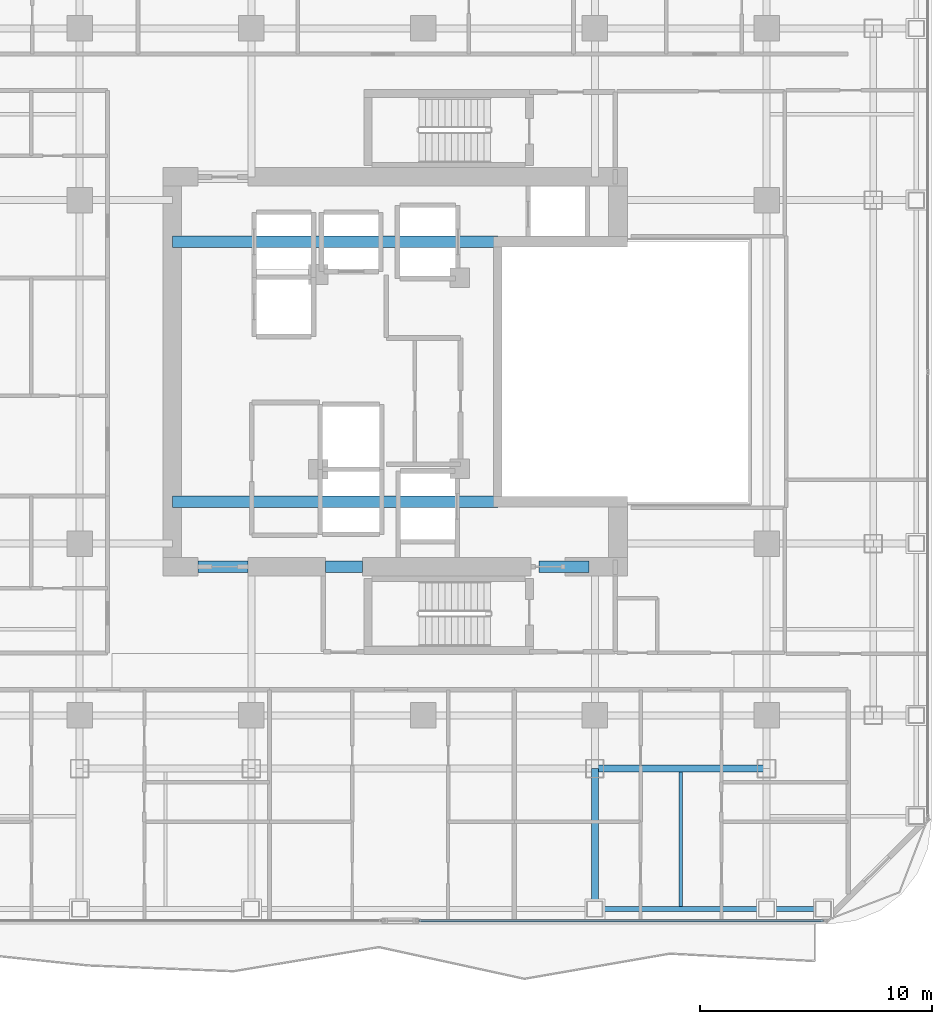
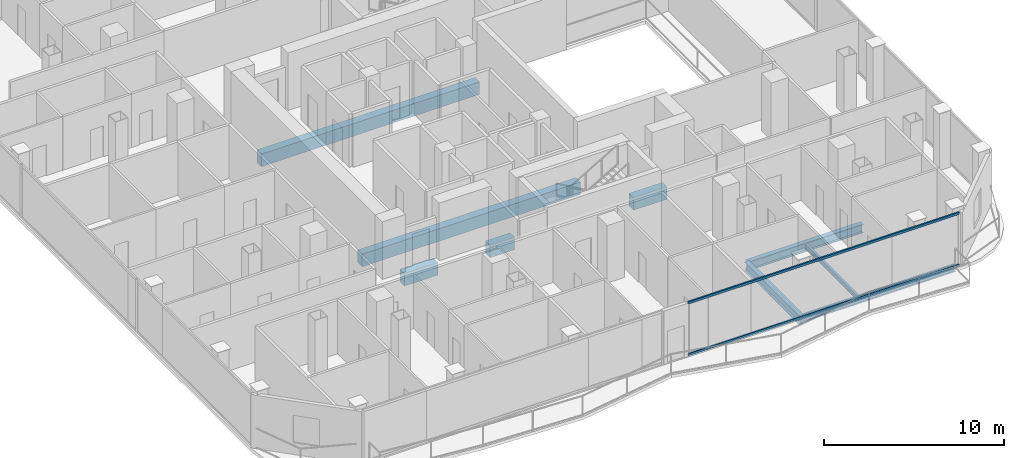
# One storey, part 6 of 26: 10 beams, 2 members, 1 element without a shape of its own.
"""IFC4 building model written with IfcOpenShell, lengths in metres."""

from ifc_helpers import new_model, si_unit, direction, frame, origin, origin_2d, place, context, subcontext, project, spatial, rectangle, hollow_rectangle, i_section, extrude, material, layer, layer_set, material_profile, profile_set, type_object, element, aggregate, save


model = new_model("IFC4")

# Units and contexts
model_context = context("Model", 3, precision=1e-05, world=origin(), true_north=direction((0.0, 1.0)))
body_context = subcontext(model_context, "Body", "Model", "MODEL_VIEW")
ifc_project = project(units=[si_unit("LENGTHUNIT", "METRE"), si_unit("AREAUNIT", "SQUARE_METRE"), si_unit("VOLUMEUNIT", "CUBIC_METRE"), si_unit("PLANEANGLEUNIT", "RADIAN"), si_unit("MASSUNIT", "GRAM", prefix="KILO")], contexts=[model_context])

# Site, building, storey
site_placement = place(None, origin())
site = spatial("IfcSite", under=ifc_project, at=site_placement, CompositionType="ELEMENT")
building_placement = place(site_placement, origin())
building = spatial("IfcBuilding", under=site, at=building_placement, Name="Khorvyn Point Tower", CompositionType="ELEMENT")
storey_placement = place(building_placement, frame((0.0, 0.0, 187.5)))
storey = spatial("IfcBuildingStorey", under=building, at=storey_placement, Name="L46", CompositionType="ELEMENT", Elevation=187.5)

# Curtain wall, members
ifc_material_1 = material(Name="Anodised aluminium 6063-T6 and laminated Low-E glass", Category="aluminium")
ifc_layer = layer(ifc_material_1, 0.18994140625)
ifc_layer_set = layer_set([ifc_layer], Name="Stick-Built Acoustic Curtain Wall CW-SYS-03")
curtain_wall_type = type_object("IfcCurtainWallType", Name="Stick-Built Acoustic Curtain Wall CW-SYS-03", PredefinedType="NOTDEFINED", material=ifc_layer_set)
curtain_wall_placement = place(storey_placement, origin())
curtain_wall = element("IfcCurtainWall", 1, at=curtain_wall_placement, inside=storey, type_object=curtain_wall_type, Name="Curtain Wall", PredefinedType="NOTDEFINED")
ifc_material_2 = material(Name="Anodised aluminium 6063-T6", Category="aluminium")
ifc_material_profile_1 = material_profile(ifc_material_2, hollow_rectangle(XDim=0.10009765625, YDim=0.159912109375, WallThickness=0.00439453125, at=origin_2d()))
ifc_profile_set_1 = profile_set([ifc_material_profile_1], Name="Anodised aluminium 6063-T6 ALU-TRN-100x160")
member_type = type_object("IfcMemberType", Name="Anodised Aluminium 6063-T6 Transom ALU-TRN-100x160", PredefinedType="USERDEFINED", material=ifc_profile_set_1)
member_1_placement = place(storey_placement, frame((17.25, -23.64990234375, 0.050048828125), z_axis=(-1.0, 0.0, 0.0), x_axis=(0.0, -1.0, 0.0)))
member_1 = element("IfcMember", 2, at=member_1_placement, type_object=member_type, Name="Transom", ObjectType="TRANSOM", PredefinedType="USERDEFINED", context=body_context, shape_type="SweptSolid", body=[
    extrude(hollow_rectangle(XDim=0.10009765625, YDim=0.159912109375, WallThickness=0.00439453125, at=origin_2d()), origin(), (0.0, 0.0, 1.0), 17.416015625),
])
member_2_placement = place(storey_placement, frame((17.25, -23.64990234375, 3.570068359375), z_axis=(-1.0, 0.0, 0.0), x_axis=(0.0, -1.0, 0.0)))
member_2 = element("IfcMember", 3, at=member_2_placement, type_object=member_type, Name="Transom", ObjectType="TRANSOM", PredefinedType="USERDEFINED", context=body_context, shape_type="SweptSolid", body=[
    extrude(hollow_rectangle(XDim=0.10009765625, YDim=0.159912109375, WallThickness=0.00439453125, at=origin_2d()), origin(), (0.0, 0.0, 1.0), 17.416015625),
])
aggregate(curtain_wall, [member_1, member_2])

# Beams
ifc_material_3 = material(Name="Concrete C45/55", Category="concrete")
ifc_material_profile_2 = material_profile(ifc_material_3, rectangle(XDim=0.5, YDim=0.85009765625, at=origin_2d()))
ifc_profile_set_2 = profile_set([ifc_material_profile_2], Name="Concrete C45/55 RC500x850")
beam_type_1 = type_object("IfcBeamType", Name="Concrete C45/55 Beam RC500x850", PredefinedType="BEAM", material=ifc_profile_set_2)
for number, where, z_axis, x_axis, name in (
    (4, (-10.800048828125, -5.60009765625, -0.64501953125), (1.0, 0.0, 0.0), (0.0, 1.0, 0.0), "L46 Core Internal Tie Girder S"),
    (5, (-10.800048828125, 5.60009765625, -0.64501953125), (1.0, 0.0, 0.0), (0.0, 1.0, 0.0), "L46 Core Internal Tie Girder N"),
):
    element("IfcBeam", number, at=place(storey_placement, frame(where, z_axis=z_axis, x_axis=x_axis)), inside=storey, type_object=beam_type_1, Name=name, PredefinedType="BEAM", context=body_context, shape_type="SweptSolid", body=[
        extrude(rectangle(XDim=0.5, YDim=0.85009765625, at=origin_2d()), origin(), (0.0, 0.0, 1.0), 14.02001953125),
    ])
beam_1_placement = place(storey_placement, frame((-9.699951171875, -8.39990234375, -0.64501953125), z_axis=(1.0, 0.0, 0.0), x_axis=(0.0, 1.0, 0.0)))
element("IfcBeam", 6, at=beam_1_placement, inside=storey, type_object=beam_type_1, Name="L46 Core Southwest Portal Coupling Beam", PredefinedType="BEAM", context=body_context, shape_type="SweptSolid", body=[
    extrude(rectangle(XDim=0.5, YDim=0.85009765625, at=origin_2d()), origin(), (0.0, 0.0, 1.0), 2.14990234375),
])
beam_2_placement = place(storey_placement, frame((-4.199951171875, -8.39990234375, -0.64501953125), z_axis=(1.0, 0.0, 0.0), x_axis=(0.0, 1.0, 0.0)))
element("IfcBeam", 7, at=beam_2_placement, inside=storey, type_object=beam_type_1, Name="L46 Core Shuttle Portal Coupling Beam", PredefinedType="BEAM", context=body_context, shape_type="SweptSolid", body=[
    extrude(rectangle(XDim=0.5, YDim=0.85009765625, at=origin_2d()), origin(), (0.0, 0.0, 1.0), 1.579833984375),
])
beam_3_placement = place(storey_placement, frame((5.0, -8.39990234375, -0.64501953125), z_axis=(1.0, 0.0, 0.0), x_axis=(0.0, 1.0, 0.0)))
element("IfcBeam", 8, at=beam_3_placement, inside=storey, type_object=beam_type_1, Name="L46 Core Southeast Portal Coupling Beam", PredefinedType="BEAM", context=body_context, shape_type="SweptSolid", body=[
    extrude(rectangle(XDim=0.5, YDim=0.85009765625, at=origin_2d()), origin(), (0.0, 0.0, 1.0), 2.14990234375),
])
ifc_material_4 = material(Name="Steel S355", Category="steel")
ifc_material_profile_3 = material_profile(ifc_material_4, i_section(OverallWidth=0.300048828125, OverallDepth=0.587890625, WebThickness=0.011962890625, FlangeThickness=0.02001953125, at=origin_2d()))
ifc_profile_set_3 = profile_set([ifc_material_profile_3], Name="Steel S355 H588x300x12x20")
beam_type_2 = type_object("IfcBeamType", Name="Steel S355 Beam H588x300x12x20", PredefinedType="BEAM", material=ifc_profile_set_3)
beam_4_placement = place(storey_placement, frame((7.39990234375, -17.10009765625, -0.513916015625), z_axis=(1.0, 0.0, 0.0), x_axis=(0.0, 1.0, 0.0)))
element("IfcBeam", 9, at=beam_4_placement, inside=storey, type_object=beam_type_2, Name="Beam", PredefinedType="BEAM", context=body_context, shape_type="SweptSolid", body=[
    extrude(i_section(OverallWidth=0.300048828125, OverallDepth=0.587890625, WebThickness=0.011962890625, FlangeThickness=0.02001953125, at=origin_2d()), origin(), (0.0, 0.0, 1.0), 7.400146484375),
])
beam_5_placement = place(storey_placement, frame((7.39990234375, -23.14990234375, -0.513916015625), z_axis=(0.0, 1.0, 0.0), x_axis=(-1.0, 0.0, 0.0)))
element("IfcBeam", 10, at=beam_5_placement, inside=storey, type_object=beam_type_2, Name="Beam", PredefinedType="BEAM", context=body_context, shape_type="SweptSolid", body=[
    extrude(i_section(OverallWidth=0.300048828125, OverallDepth=0.587890625, WebThickness=0.011962890625, FlangeThickness=0.02001953125, at=origin_2d()), origin(), (0.0, 0.0, 1.0), 6.0498046875),
])
ifc_material_profile_4 = material_profile(ifc_material_4, i_section(OverallWidth=0.14990234375, OverallDepth=0.300048828125, WebThickness=0.006591796875, FlangeThickness=0.009033203125, at=origin_2d()))
ifc_profile_set_4 = profile_set([ifc_material_profile_4], Name="Steel S355 H300x150x6.5x9")
beam_type_3 = type_object("IfcBeamType", Name="Steel S355 Joist H300x150x6.5x9", PredefinedType="JOIST", material=ifc_profile_set_4)
beam_6_placement = place(storey_placement, frame((11.10009765625, -23.050048828125, -0.3701171875), z_axis=(0.0, 1.0, 0.0), x_axis=(-1.0, 0.0, 0.0)))
element("IfcBeam", 11, at=beam_6_placement, inside=storey, type_object=beam_type_3, Name="Beam", PredefinedType="JOIST", context=body_context, shape_type="SweptSolid", body=[
    extrude(i_section(OverallWidth=0.14990234375, OverallDepth=0.300048828125, WebThickness=0.006591796875, FlangeThickness=0.009033203125, at=origin_2d()), origin(), (0.0, 0.0, 1.0), 5.800048828125),
])
ifc_material_profile_5 = material_profile(ifc_material_4, i_section(OverallWidth=0.199951171875, OverallDepth=0.449951171875, WebThickness=0.009033203125, FlangeThickness=0.013916015625, at=origin_2d()))
ifc_profile_set_5 = profile_set([ifc_material_profile_5], Name="Steel S355 H450x200x9x14")
beam_type_4 = type_object("IfcBeamType", Name="Steel S355 Spandrel H450x200x9x14", PredefinedType="SPANDREL", material=ifc_profile_set_5)
beam_7_placement = place(storey_placement, frame((7.39990234375, -23.14990234375, -0.445068359375), z_axis=(1.0, 0.0, 0.0), x_axis=(0.0, 1.0, 0.0)))
element("IfcBeam", 12, at=beam_7_placement, inside=storey, type_object=beam_type_4, Name="Beam", PredefinedType="SPANDREL", context=body_context, shape_type="SweptSolid", body=[
    extrude(i_section(OverallWidth=0.199951171875, OverallDepth=0.449951171875, WebThickness=0.009033203125, FlangeThickness=0.013916015625, at=origin_2d()), origin(), (0.0, 0.0, 1.0), 7.400146484375),
])
beam_8_placement = place(storey_placement, frame((14.800048828125, -23.14990234375, -0.445068359375), z_axis=(1.0, 0.0, 0.0), x_axis=(0.0, 1.0, 0.0)))
element("IfcBeam", 13, at=beam_8_placement, inside=storey, type_object=beam_type_4, Name="Beam", PredefinedType="SPANDREL", context=body_context, shape_type="SweptSolid", body=[
    extrude(i_section(OverallWidth=0.199951171875, OverallDepth=0.449951171875, WebThickness=0.009033203125, FlangeThickness=0.013916015625, at=origin_2d()), origin(), (0.0, 0.0, 1.0), 2.449951171875),
])

save(model, "model.ifc")
